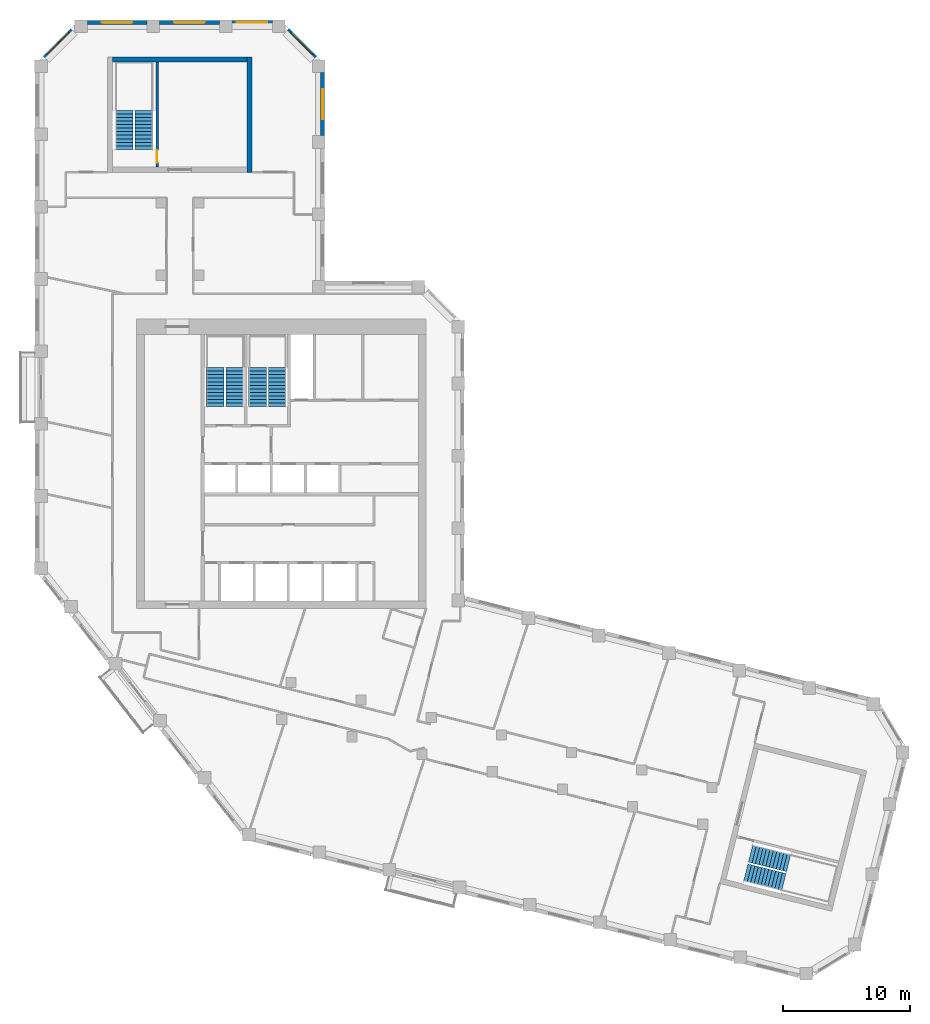
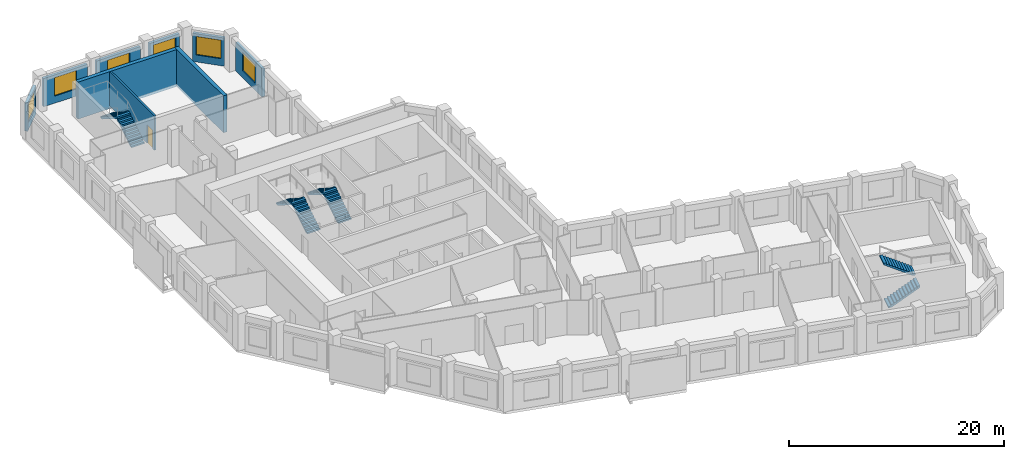
# One storey, part 8 of 9: 9 walls, 8 stair flights, 6 windows, 1 door, 7 openings, 4 elements without a shape of their own.
"""IFC4 building model written with IfcOpenShell, lengths in metres."""

from ifc_helpers import new_model, si_unit, direction, frame, frame_2d, origin, place, context, subcontext, project, spatial, polyline, rectangle, outline, extrude, material, layer, layer_set, type_object, element, fill, aggregate, save


model = new_model("IFC4")

# Units and contexts
model_context = context("Model", 3, precision=1e-05, world=origin(), true_north=direction((0.0, 1.0)))
body_context = subcontext(model_context, "Body", "Model", "MODEL_VIEW")
ifc_project = project(units=[si_unit("LENGTHUNIT", "METRE"), si_unit("AREAUNIT", "SQUARE_METRE"), si_unit("VOLUMEUNIT", "CUBIC_METRE"), si_unit("PLANEANGLEUNIT", "RADIAN"), si_unit("MASSUNIT", "GRAM", prefix="KILO")], contexts=[model_context])

# Site, building, storey
site_placement = place(None, origin())
site = spatial("IfcSite", under=ifc_project, at=site_placement, CompositionType="ELEMENT")
building_placement = place(site_placement, origin())
building = spatial("IfcBuilding", under=site, at=building_placement, Name="Meshkara Civic Tower", CompositionType="ELEMENT")
storey_placement = place(building_placement, frame((0.0, 0.0, 327.60009765625)))
storey = spatial("IfcBuildingStorey", under=building, at=storey_placement, Name="L75", CompositionType="ELEMENT", Elevation=327.60009765625)

# Wall, opening, window
ifc_material_1 = material(Name="Insulated infill panel with bronze anodised aluminium cladding", Category="aluminium")
ifc_layer_1 = layer(ifc_material_1, 0.300048828125)
ifc_layer_set_1 = layer_set([ifc_layer_1], Name="EXTERNAL INFILL WALL 300")
wall_type_1 = type_object("IfcWallType", Name="EXTERNAL INFILL WALL 300", PredefinedType="SOLIDWALL", material=ifc_layer_set_1)
wall_1_placement = place(storey_placement, frame((22.64990234375, 51.35009765625, 0.0), z_axis=(0.0, 0.0, 1.0), x_axis=(0.0, 1.0, 0.0)))
wall_1 = element("IfcWall", 1, at=wall_1_placement, inside=storey, type_object=wall_type_1, Name="External wall", PredefinedType="SOLIDWALL", context=body_context, shape_type="SweptSolid", body=[
    extrude(rectangle(XDim=4.9638671875, YDim=0.300048828125, at=frame_2d((2.48193359375, 0.0))), origin(), (0.0, 0.0, 1.0), 3.199951171875),
])
opening_1_placement = place(wall_1_placement, frame((1.281982421875, 0.0, 0.800048828125)))
opening_1 = element("IfcOpeningElement", 2, at=opening_1_placement, cuts=wall_1, Name="Opening W7", PredefinedType="OPENING", context=body_context, shape_type="SweptSolid", body=[
    extrude(rectangle(XDim=2.39990234375, YDim=2.10009765625, at=frame_2d((1.199951171875, 1.050048828125))), frame((0.0, 0.159912109375, 0.0), z_axis=(0.0, -1.0, 0.0), x_axis=(1.0, 0.0, 0.0)), (0.0, 0.0, 1.0), 0.320068359375),
])
ifc_material_2 = material(Name="Tinted double glazing", Category="glass")
window_type = type_object("IfcWindowType", Name="WINDOW 2400x2100", PartitioningType="DOUBLE_PANEL_VERTICAL", PredefinedType="WINDOW", material=ifc_material_2)
window_1_placement = place(opening_1_placement, origin())
window_1 = element("IfcWindow", 3, at=window_1_placement, inside=storey, type_object=window_type, Name="Window", OverallHeight=2.10009765625, OverallWidth=2.39990234375, PartitioningType="DOUBLE_PANEL_VERTICAL", PredefinedType="WINDOW", context=body_context, shape_type="SweptSolid", body=[
    extrude(rectangle(XDim=2.39990234375, YDim=2.10009765625, at=frame_2d((1.199951171875, 1.050048828125))), frame((0.0, 0.030029296875, 0.0), z_axis=(0.0, -1.0, 0.0), x_axis=(1.0, 0.0, 0.0)), (0.0, 0.0, 1.0), 0.06005859375),
])
fill(opening_1, window_1)

wall_2_placement = place(storey_placement, frame((22.06201171875, 57.52587890625, 0.0), z_axis=(0.0, 0.0, 1.0), x_axis=(-0.707106781187, 0.707106781187, 0.0)))
wall_2 = element("IfcWall", 4, at=wall_2_placement, inside=storey, type_object=wall_type_1, Name="External wall", PredefinedType="SOLIDWALL", context=body_context, shape_type="SweptSolid", body=[
    extrude(rectangle(XDim=3.049072265625, YDim=0.300048828125, at=frame_2d((1.5244140625, 0.0))), origin(), (0.0, 0.0, 1.0), 3.199951171875),
])
opening_2_placement = place(wall_2_placement, frame((0.324951171875, 0.0, 0.800048828125)))
opening_2 = element("IfcOpeningElement", 5, at=opening_2_placement, cuts=wall_2, Name="Opening W7", PredefinedType="OPENING", context=body_context, shape_type="SweptSolid", body=[
    extrude(rectangle(XDim=2.39990234375, YDim=2.10009765625, at=frame_2d((1.199951171875, 1.050048828125))), frame((0.0, 0.159912109375, 0.0), z_axis=(0.0, -1.0, 0.0), x_axis=(1.0, 0.0, 0.0)), (0.0, 0.0, 1.0), 0.320068359375),
])
window_2_placement = place(opening_2_placement, origin())
window_2 = element("IfcWindow", 6, at=window_2_placement, inside=storey, type_object=window_type, Name="Window", OverallHeight=2.10009765625, OverallWidth=2.39990234375, PartitioningType="DOUBLE_PANEL_VERTICAL", PredefinedType="WINDOW", context=body_context, shape_type="SweptSolid", body=[
    extrude(rectangle(XDim=2.39990234375, YDim=2.10009765625, at=frame_2d((1.199951171875, 1.050048828125))), frame((0.0, 0.030029296875, 0.0), z_axis=(0.0, -1.0, 0.0), x_axis=(1.0, 0.0, 0.0)), (0.0, 0.0, 1.0), 0.06005859375),
])
fill(opening_2, window_2)

wall_3_placement = place(storey_placement, frame((18.694091796875, 60.27001953125, 0.0), z_axis=(0.0, 0.0, 1.0), x_axis=(-1.0, 0.0, 0.0)))
wall_3 = element("IfcWall", 7, at=wall_3_placement, inside=storey, type_object=wall_type_1, Name="External wall", PredefinedType="SOLIDWALL", context=body_context, shape_type="SweptSolid", body=[
    extrude(rectangle(XDim=3.18798828125, YDim=0.300048828125, at=frame_2d((1.593994140625, 0.0))), origin(), (0.0, 0.0, 1.0), 3.199951171875),
])
opening_3_placement = place(wall_3_placement, frame((0.39404296875, 0.0, 0.800048828125)))
opening_3 = element("IfcOpeningElement", 8, at=opening_3_placement, cuts=wall_3, Name="Opening W7", PredefinedType="OPENING", context=body_context, shape_type="SweptSolid", body=[
    extrude(rectangle(XDim=2.39990234375, YDim=2.10009765625, at=frame_2d((1.199951171875, 1.050048828125))), frame((0.0, 0.159912109375, 0.0), z_axis=(0.0, -1.0, 0.0), x_axis=(1.0, 0.0, 0.0)), (0.0, 0.0, 1.0), 0.320068359375),
])
window_3_placement = place(opening_3_placement, origin())
window_3 = element("IfcWindow", 9, at=window_3_placement, inside=storey, type_object=window_type, Name="Window", OverallHeight=2.10009765625, OverallWidth=2.39990234375, PartitioningType="DOUBLE_PANEL_VERTICAL", PredefinedType="WINDOW", context=body_context, shape_type="SweptSolid", body=[
    extrude(rectangle(XDim=2.39990234375, YDim=2.10009765625, at=frame_2d((1.199951171875, 1.050048828125))), frame((0.0, 0.030029296875, 0.0), z_axis=(0.0, -1.0, 0.0), x_axis=(1.0, 0.0, 0.0)), (0.0, 0.0, 1.0), 0.06005859375),
])
fill(opening_3, window_3)

wall_4_placement = place(storey_placement, frame((14.506103515625, 60.27001953125, 0.0), z_axis=(0.0, 0.0, 1.0), x_axis=(-1.0, 0.0, 0.0)))
wall_4 = element("IfcWall", 10, at=wall_4_placement, inside=storey, type_object=wall_type_1, Name="External wall", PredefinedType="SOLIDWALL", context=body_context, shape_type="SweptSolid", body=[
    extrude(rectangle(XDim=4.7001953125, YDim=0.300048828125, at=frame_2d((2.35009765625, 0.0))), origin(), (0.0, 0.0, 1.0), 3.199951171875),
])
opening_4_placement = place(wall_4_placement, frame((1.14990234375, 0.0, 0.800048828125)))
opening_4 = element("IfcOpeningElement", 11, at=opening_4_placement, cuts=wall_4, Name="Opening W7", PredefinedType="OPENING", context=body_context, shape_type="SweptSolid", body=[
    extrude(rectangle(XDim=2.39990234375, YDim=2.10009765625, at=frame_2d((1.199951171875, 1.050048828125))), frame((0.0, 0.159912109375, 0.0), z_axis=(0.0, -1.0, 0.0), x_axis=(1.0, 0.0, 0.0)), (0.0, 0.0, 1.0), 0.320068359375),
])
window_4_placement = place(opening_4_placement, origin())
window_4 = element("IfcWindow", 12, at=window_4_placement, inside=storey, type_object=window_type, Name="Window", OverallHeight=2.10009765625, OverallWidth=2.39990234375, PartitioningType="DOUBLE_PANEL_VERTICAL", PredefinedType="WINDOW", context=body_context, shape_type="SweptSolid", body=[
    extrude(rectangle(XDim=2.39990234375, YDim=2.10009765625, at=frame_2d((1.199951171875, 1.050048828125))), frame((0.0, 0.030029296875, 0.0), z_axis=(0.0, -1.0, 0.0), x_axis=(1.0, 0.0, 0.0)), (0.0, 0.0, 1.0), 0.06005859375),
])
fill(opening_4, window_4)

wall_5_placement = place(storey_placement, frame((8.805908203125, 60.27001953125, 0.0), z_axis=(0.0, 0.0, 1.0), x_axis=(-1.0, 0.0, 0.0)))
wall_5 = element("IfcWall", 13, at=wall_5_placement, inside=storey, type_object=wall_type_1, Name="External wall", PredefinedType="SOLIDWALL", context=body_context, shape_type="SweptSolid", body=[
    extrude(rectangle(XDim=4.699951171875, YDim=0.300048828125, at=frame_2d((2.35009765625, 0.0))), origin(), (0.0, 0.0, 1.0), 3.199951171875),
])
opening_5_placement = place(wall_5_placement, frame((1.14990234375, 0.0, 0.800048828125)))
opening_5 = element("IfcOpeningElement", 14, at=opening_5_placement, cuts=wall_5, Name="Opening W7", PredefinedType="OPENING", context=body_context, shape_type="SweptSolid", body=[
    extrude(rectangle(XDim=2.39990234375, YDim=2.10009765625, at=frame_2d((1.199951171875, 1.050048828125))), frame((0.0, 0.159912109375, 0.0), z_axis=(0.0, -1.0, 0.0), x_axis=(1.0, 0.0, 0.0)), (0.0, 0.0, 1.0), 0.320068359375),
])
window_5_placement = place(opening_5_placement, origin())
window_5 = element("IfcWindow", 15, at=window_5_placement, inside=storey, type_object=window_type, Name="Window", OverallHeight=2.10009765625, OverallWidth=2.39990234375, PartitioningType="DOUBLE_PANEL_VERTICAL", PredefinedType="WINDOW", context=body_context, shape_type="SweptSolid", body=[
    extrude(rectangle(XDim=2.39990234375, YDim=2.10009765625, at=frame_2d((1.199951171875, 1.050048828125))), frame((0.0, 0.030029296875, 0.0), z_axis=(0.0, -1.0, 0.0), x_axis=(1.0, 0.0, 0.0)), (0.0, 0.0, 1.0), 0.06005859375),
])
fill(opening_5, window_5)

wall_6_placement = place(storey_placement, frame((2.89404296875, 59.681884765625, 0.0), z_axis=(0.0, 0.0, 1.0), x_axis=(-0.707106781187, -0.707106781187, 0.0)))
wall_6 = element("IfcWall", 16, at=wall_6_placement, inside=storey, type_object=wall_type_1, Name="External wall", PredefinedType="SOLIDWALL", context=body_context, shape_type="SweptSolid", body=[
    extrude(rectangle(XDim=3.049072265625, YDim=0.300048828125, at=frame_2d((1.5244140625, 0.0))), origin(), (0.0, 0.0, 1.0), 3.199951171875),
])
opening_6_placement = place(wall_6_placement, frame((0.324951171875, 0.0, 0.800048828125)))
opening_6 = element("IfcOpeningElement", 17, at=opening_6_placement, cuts=wall_6, Name="Opening W7", PredefinedType="OPENING", context=body_context, shape_type="SweptSolid", body=[
    extrude(rectangle(XDim=2.39990234375, YDim=2.10009765625, at=frame_2d((1.199951171875, 1.050048828125))), frame((0.0, 0.159912109375, 0.0), z_axis=(0.0, -1.0, 0.0), x_axis=(1.0, 0.0, 0.0)), (0.0, 0.0, 1.0), 0.320068359375),
])
window_6_placement = place(opening_6_placement, origin())
window_6 = element("IfcWindow", 18, at=window_6_placement, inside=storey, type_object=window_type, Name="Window", OverallHeight=2.10009765625, OverallWidth=2.39990234375, PartitioningType="DOUBLE_PANEL_VERTICAL", PredefinedType="WINDOW", context=body_context, shape_type="SweptSolid", body=[
    extrude(rectangle(XDim=2.39990234375, YDim=2.10009765625, at=frame_2d((1.199951171875, 1.050048828125))), frame((0.0, 0.030029296875, 0.0), z_axis=(0.0, -1.0, 0.0), x_axis=(1.0, 0.0, 0.0)), (0.0, 0.0, 1.0), 0.06005859375),
])
fill(opening_6, window_6)

# Walls
ifc_material_3 = material(Name="Concrete C60", Category="concrete")
ifc_layer_2 = layer(ifc_material_3, 0.39990234375)
ifc_layer_set_2 = layer_set([ifc_layer_2], Name="End core ring wall 400 C60")
wall_type_2 = type_object("IfcWallType", Name="End core ring wall 400 C60", PredefinedType="SHEAR", material=ifc_layer_set_2)
wall_7_placement = place(storey_placement, frame((16.89990234375, 48.469970703125, -0.300048828125), z_axis=(0.0, 0.0, 1.0), x_axis=(0.0, 1.0, 0.0)))
element("IfcWall", 19, at=wall_7_placement, inside=storey, type_object=wall_type_2, Name="L75-C028", PredefinedType="SHEAR", context=body_context, shape_type="SweptSolid", body=[
    extrude(rectangle(XDim=9.10009765625, YDim=0.39990234375, at=frame_2d((4.550048828125, 0.0))), origin(), (0.0, 0.0, 1.0), 4.199951171875),
])
wall_8_placement = place(storey_placement, frame((6.10009765625, 57.3701171875, -0.300048828125), z_axis=(0.0, 0.0, 1.0), x_axis=(1.0, 0.0, 0.0)))
element("IfcWall", 20, at=wall_8_placement, inside=storey, type_object=wall_type_2, Name="L75-C030", PredefinedType="SHEAR", context=body_context, shape_type="SweptSolid", body=[
    extrude(rectangle(XDim=10.599853515625, YDim=0.39990234375, at=frame_2d((5.2998046875, 0.0))), origin(), (0.0, 0.0, 1.0), 4.199951171875),
])

# Wall, opening, door
ifc_material_4 = material(Name="Concrete C40/50", Category="concrete")
ifc_layer_3 = layer(ifc_material_4, 0.199951171875)
ifc_layer_set_3 = layer_set([ifc_layer_3], Name="Stair enclosure wall 200 C40/50")
wall_type_3 = type_object("IfcWallType", Name="Stair enclosure wall 200 C40/50", PredefinedType="SOLIDWALL", material=ifc_layer_set_3)
wall_9_placement = place(storey_placement, frame((9.60009765625, 48.8701171875, 0.0), z_axis=(0.0, 0.0, 1.0), x_axis=(0.0, 1.0, 0.0)))
wall_9 = element("IfcWall", 21, at=wall_9_placement, inside=storey, type_object=wall_type_3, Name="L75-C031", PredefinedType="SOLIDWALL", context=body_context, shape_type="SweptSolid", body=[
    extrude(rectangle(XDim=8.2998046875, YDim=0.199951171875, at=frame_2d((4.14990234375, 0.0))), origin(), (0.0, 0.0, 1.0), 3.89990234375),
])
opening_7_placement = place(wall_9_placement, frame((0.35009765625, 0.0, 0.0)))
opening_7 = element("IfcOpeningElement", 22, at=opening_7_placement, cuts=wall_9, Name="Opening L75-K101", PredefinedType="OPENING", context=body_context, shape_type="SweptSolid", body=[
    extrude(rectangle(XDim=1.0, YDim=2.10009765625, at=frame_2d((0.5, 1.050048828125))), frame((0.0, 0.10986328125, 0.0), z_axis=(0.0, -1.0, 0.0), x_axis=(1.0, 0.0, 0.0)), (0.0, 0.0, 1.0), 0.219970703125),
])
ifc_material_5 = material(Name="Fire-rated door leaf in steel frame", Category="steel")
door_type = type_object("IfcDoorType", Name="Stair door 1000 EI 120", OperationType="SINGLE_SWING_LEFT", PredefinedType="DOOR", material=ifc_material_5)
door_placement = place(opening_7_placement, origin())
door = element("IfcDoor", 23, at=door_placement, inside=storey, type_object=door_type, Name="L75-K101", OperationType="SINGLE_SWING_RIGHT", OverallHeight=2.10009765625, OverallWidth=1.0, PredefinedType="DOOR", context=body_context, shape_type="SweptSolid", body=[
    extrude(rectangle(XDim=1.0, YDim=2.10009765625, at=frame_2d((0.5, 1.050048828125))), frame((0.0, 0.02490234375, 0.0), z_axis=(0.0, -1.0, 0.0), x_axis=(1.0, 0.0, 0.0)), (0.0, 0.0, 1.0), 0.050048828125),
])
fill(opening_7, door)

# Stair, stair flights
ifc_material_6 = material(Name="Precast concrete C40/50", Category="concrete")
stair_type = type_object("IfcStairType", Name="Exit stair half-turn 24 risers precast", PredefinedType="HALF_TURN_STAIR", material=ifc_material_6)
stair_1_placement = place(storey_placement, origin())
stair_1 = element("IfcStair", 24, at=stair_1_placement, inside=storey, type_object=stair_type, Name="L75 exit stair 1", PredefinedType="HALF_TURN_STAIR")
ifc_material_7 = material(Name="Precast concrete C40/50", Category="concrete")
stair_flight_type = type_object("IfcStairFlightType", Name="Exit stair flight 12 risers precast", PredefinedType="STRAIGHT", material=ifc_material_7)
stair_flight_1_placement = place(storey_placement, frame((15.72509765625, 30.0, 0.0), z_axis=(0.0, 0.0, 1.0), x_axis=(0.0, 1.0, 0.0)))
stair_flight_1 = element("IfcStairFlight", 25, at=stair_flight_1_placement, type_object=stair_flight_type, Name="ST1 flight 1", NumberOfRisers=12, NumberOfTreads=11, PredefinedType="STRAIGHT", RiserHeight=0.175, TreadLength=0.28, context=body_context, shape_type="SweptSolid", body=[
    extrude(outline(polyline([(0.0, 0.0), (0.0, 0.175048828125), (0.280029296875, 0.175048828125), (0.280029296875, 0.35009765625), (0.56005859375, 0.35009765625), (0.56005859375, 0.52490234375), (0.840087890625, 0.52490234375), (0.840087890625, 0.699951171875), (1.1201171875, 0.699951171875), (1.1201171875, 0.875), (1.39990234375, 0.875), (1.39990234375, 1.050048828125), (1.679931640625, 1.050048828125), (1.679931640625, 1.22509765625), (1.9599609375, 1.22509765625), (1.9599609375, 1.39990234375), (2.239990234375, 1.39990234375), (2.239990234375, 1.574951171875), (2.52001953125, 1.574951171875), (2.52001953125, 1.75), (2.800048828125, 1.75), (2.800048828125, 1.925048828125), (3.080078125, 1.925048828125), (3.080078125, 2.10009765625), (3.080078125, 1.748291015625), (0.28271484375, 0.0), (0.0, 0.0)])), frame((0.0, 0.699951171875, 0.0), z_axis=(0.0, -1.0, 0.0), x_axis=(1.0, 0.0, 0.0)), (0.0, 0.0, 1.0), 1.39990234375),
])
stair_flight_2_placement = place(storey_placement, frame((14.175048828125, 33.080078125, 2.099853515625), z_axis=(0.0, 0.0, 1.0), x_axis=(0.0, -1.0, 0.0)))
stair_flight_2 = element("IfcStairFlight", 26, at=stair_flight_2_placement, type_object=stair_flight_type, Name="ST1 flight 2", NumberOfRisers=12, NumberOfTreads=11, PredefinedType="STRAIGHT", RiserHeight=0.175, TreadLength=0.28, context=body_context, shape_type="SweptSolid", body=[
    extrude(outline(polyline([(0.0, 0.0), (0.0, 0.175048828125), (0.280029296875, 0.175048828125), (0.280029296875, 0.35009765625), (0.56005859375, 0.35009765625), (0.56005859375, 0.52490234375), (0.840087890625, 0.52490234375), (0.840087890625, 0.699951171875), (1.1201171875, 0.699951171875), (1.1201171875, 0.875), (1.39990234375, 0.875), (1.39990234375, 1.050048828125), (1.679931640625, 1.050048828125), (1.679931640625, 1.22509765625), (1.9599609375, 1.22509765625), (1.9599609375, 1.39990234375), (2.239990234375, 1.39990234375), (2.239990234375, 1.574951171875), (2.52001953125, 1.574951171875), (2.52001953125, 1.75), (2.800048828125, 1.75), (2.800048828125, 1.925048828125), (3.080078125, 1.925048828125), (3.080078125, 2.10009765625), (3.080078125, 1.748291015625), (0.28271484375, 0.0), (0.0, 0.0)])), frame((0.0, 0.699951171875, 0.0), z_axis=(0.0, -1.0, 0.0), x_axis=(1.0, 0.0, 0.0)), (0.0, 0.0, 1.0), 1.39990234375),
])
aggregate(stair_1, [stair_flight_1, stair_flight_2])

stair_2_placement = place(storey_placement, origin())
stair_2 = element("IfcStair", 27, at=stair_2_placement, inside=storey, type_object=stair_type, Name="L75 exit stair 2", PredefinedType="HALF_TURN_STAIR")
stair_flight_3_placement = place(storey_placement, frame((19.074951171875, 30.0, 0.0), z_axis=(0.0, 0.0, 1.0), x_axis=(0.0, 1.0, 0.0)))
stair_flight_3 = element("IfcStairFlight", 28, at=stair_flight_3_placement, type_object=stair_flight_type, Name="ST2 flight 1", NumberOfRisers=12, NumberOfTreads=11, PredefinedType="STRAIGHT", RiserHeight=0.175, TreadLength=0.28, context=body_context, shape_type="SweptSolid", body=[
    extrude(outline(polyline([(0.0, 0.0), (0.0, 0.175048828125), (0.280029296875, 0.175048828125), (0.280029296875, 0.35009765625), (0.56005859375, 0.35009765625), (0.56005859375, 0.52490234375), (0.840087890625, 0.52490234375), (0.840087890625, 0.699951171875), (1.1201171875, 0.699951171875), (1.1201171875, 0.875), (1.39990234375, 0.875), (1.39990234375, 1.050048828125), (1.679931640625, 1.050048828125), (1.679931640625, 1.22509765625), (1.9599609375, 1.22509765625), (1.9599609375, 1.39990234375), (2.239990234375, 1.39990234375), (2.239990234375, 1.574951171875), (2.52001953125, 1.574951171875), (2.52001953125, 1.75), (2.800048828125, 1.75), (2.800048828125, 1.925048828125), (3.080078125, 1.925048828125), (3.080078125, 2.10009765625), (3.080078125, 1.748291015625), (0.28271484375, 0.0), (0.0, 0.0)])), frame((0.0, 0.699951171875, 0.0), z_axis=(0.0, -1.0, 0.0), x_axis=(1.0, 0.0, 0.0)), (0.0, 0.0, 1.0), 1.39990234375),
])
stair_flight_4_placement = place(storey_placement, frame((17.52490234375, 33.080078125, 2.099853515625), z_axis=(0.0, 0.0, 1.0), x_axis=(0.0, -1.0, 0.0)))
stair_flight_4 = element("IfcStairFlight", 29, at=stair_flight_4_placement, type_object=stair_flight_type, Name="ST2 flight 2", NumberOfRisers=12, NumberOfTreads=11, PredefinedType="STRAIGHT", RiserHeight=0.175, TreadLength=0.28, context=body_context, shape_type="SweptSolid", body=[
    extrude(outline(polyline([(0.0, 0.0), (0.0, 0.175048828125), (0.280029296875, 0.175048828125), (0.280029296875, 0.35009765625), (0.56005859375, 0.35009765625), (0.56005859375, 0.52490234375), (0.840087890625, 0.52490234375), (0.840087890625, 0.699951171875), (1.1201171875, 0.699951171875), (1.1201171875, 0.875), (1.39990234375, 0.875), (1.39990234375, 1.050048828125), (1.679931640625, 1.050048828125), (1.679931640625, 1.22509765625), (1.9599609375, 1.22509765625), (1.9599609375, 1.39990234375), (2.239990234375, 1.39990234375), (2.239990234375, 1.574951171875), (2.52001953125, 1.574951171875), (2.52001953125, 1.75), (2.800048828125, 1.75), (2.800048828125, 1.925048828125), (3.080078125, 1.925048828125), (3.080078125, 2.10009765625), (3.080078125, 1.748291015625), (0.28271484375, 0.0), (0.0, 0.0)])), frame((0.0, 0.699951171875, 0.0), z_axis=(0.0, -1.0, 0.0), x_axis=(1.0, 0.0, 0.0)), (0.0, 0.0, 1.0), 1.39990234375),
])
aggregate(stair_2, [stair_flight_3, stair_flight_4])

stair_3_placement = place(storey_placement, origin())
stair_3 = element("IfcStair", 30, at=stair_3_placement, inside=storey, type_object=stair_type, Name="L75 exit stair A from L65", PredefinedType="HALF_TURN_STAIR")
stair_flight_5_placement = place(storey_placement, frame((8.574951171875, 50.27001953125, 0.0), z_axis=(0.0, 0.0, 1.0), x_axis=(0.0, 1.0, 0.0)))
stair_flight_5 = element("IfcStairFlight", 31, at=stair_flight_5_placement, type_object=stair_flight_type, Name="ESA5 flight 1", NumberOfRisers=12, NumberOfTreads=11, PredefinedType="STRAIGHT", RiserHeight=0.175, TreadLength=0.28, context=body_context, shape_type="SweptSolid", body=[
    extrude(outline(polyline([(0.0, 0.0), (0.0, 0.175048828125), (0.280029296875, 0.175048828125), (0.280029296875, 0.35009765625), (0.56005859375, 0.35009765625), (0.56005859375, 0.52490234375), (0.840087890625, 0.52490234375), (0.840087890625, 0.699951171875), (1.1201171875, 0.699951171875), (1.1201171875, 0.875), (1.39990234375, 0.875), (1.39990234375, 1.050048828125), (1.679931640625, 1.050048828125), (1.679931640625, 1.22509765625), (1.9599609375, 1.22509765625), (1.9599609375, 1.39990234375), (2.239990234375, 1.39990234375), (2.239990234375, 1.574951171875), (2.52001953125, 1.574951171875), (2.52001953125, 1.75), (2.800048828125, 1.75), (2.800048828125, 1.925048828125), (3.080078125, 1.925048828125), (3.080078125, 2.10009765625), (3.080078125, 1.748291015625), (0.28271484375, 0.0), (0.0, 0.0)])), frame((0.0, 0.699951171875, 0.0), z_axis=(0.0, -1.0, 0.0), x_axis=(1.0, 0.0, 0.0)), (0.0, 0.0, 1.0), 1.39990234375),
])
stair_flight_6_placement = place(storey_placement, frame((7.02490234375, 53.35009765625, 2.099853515625), z_axis=(0.0, 0.0, 1.0), x_axis=(0.0, -1.0, 0.0)))
stair_flight_6 = element("IfcStairFlight", 32, at=stair_flight_6_placement, type_object=stair_flight_type, Name="ESA5 flight 2", NumberOfRisers=12, NumberOfTreads=11, PredefinedType="STRAIGHT", RiserHeight=0.175, TreadLength=0.28, context=body_context, shape_type="SweptSolid", body=[
    extrude(outline(polyline([(0.0, 0.0), (0.0, 0.175048828125), (0.280029296875, 0.175048828125), (0.280029296875, 0.35009765625), (0.56005859375, 0.35009765625), (0.56005859375, 0.52490234375), (0.840087890625, 0.52490234375), (0.840087890625, 0.699951171875), (1.1201171875, 0.699951171875), (1.1201171875, 0.875), (1.39990234375, 0.875), (1.39990234375, 1.050048828125), (1.679931640625, 1.050048828125), (1.679931640625, 1.22509765625), (1.9599609375, 1.22509765625), (1.9599609375, 1.39990234375), (2.239990234375, 1.39990234375), (2.239990234375, 1.574951171875), (2.52001953125, 1.574951171875), (2.52001953125, 1.75), (2.800048828125, 1.75), (2.800048828125, 1.925048828125), (3.080078125, 1.925048828125), (3.080078125, 2.10009765625), (3.080078125, 1.748291015625), (0.28271484375, 0.0), (0.0, 0.0)])), frame((0.0, 0.699951171875, 0.0), z_axis=(0.0, -1.0, 0.0), x_axis=(1.0, 0.0, 0.0)), (0.0, 0.0, 1.0), 1.39990234375),
])
aggregate(stair_3, [stair_flight_5, stair_flight_6])

stair_4_placement = place(storey_placement, origin())
stair_4 = element("IfcStair", 33, at=stair_4_placement, inside=storey, type_object=stair_type, Name="L75 exit stair B from L65", PredefinedType="HALF_TURN_STAIR")
stair_flight_7_placement = place(storey_placement, frame((56.0068359375, -6.723876953125, 0.0), z_axis=(0.0, 0.0, 1.0), x_axis=(0.970260066579, -0.242064873955, 0.0)))
stair_flight_7 = element("IfcStairFlight", 34, at=stair_flight_7_placement, type_object=stair_flight_type, Name="ESB5 flight 1", NumberOfRisers=12, NumberOfTreads=11, PredefinedType="STRAIGHT", RiserHeight=0.175, TreadLength=0.28, context=body_context, shape_type="SweptSolid", body=[
    extrude(outline(polyline([(0.0, 0.0), (0.0, 0.175048828125), (0.280029296875, 0.175048828125), (0.280029296875, 0.35009765625), (0.56005859375, 0.35009765625), (0.56005859375, 0.52490234375), (0.840087890625, 0.52490234375), (0.840087890625, 0.699951171875), (1.1201171875, 0.699951171875), (1.1201171875, 0.875), (1.39990234375, 0.875), (1.39990234375, 1.050048828125), (1.679931640625, 1.050048828125), (1.679931640625, 1.22509765625), (1.9599609375, 1.22509765625), (1.9599609375, 1.39990234375), (2.239990234375, 1.39990234375), (2.239990234375, 1.574951171875), (2.52001953125, 1.574951171875), (2.52001953125, 1.75), (2.800048828125, 1.75), (2.800048828125, 1.925048828125), (3.080078125, 1.925048828125), (3.080078125, 2.10009765625), (3.080078125, 1.748291015625), (0.28271484375, 0.0), (0.0, 0.0)])), frame((0.0, 0.699951171875, 0.0), z_axis=(0.0, -1.0, 0.0), x_axis=(1.0, 0.0, 0.0)), (0.0, 0.0, 1.0), 1.39990234375),
])
stair_flight_8_placement = place(storey_placement, frame((59.370361328125, -5.965576171875, 2.099853515625), z_axis=(0.0, 0.0, 1.0), x_axis=(-0.970260066579, 0.242064873955, 0.0)))
stair_flight_8 = element("IfcStairFlight", 35, at=stair_flight_8_placement, type_object=stair_flight_type, Name="ESB5 flight 2", NumberOfRisers=12, NumberOfTreads=11, PredefinedType="STRAIGHT", RiserHeight=0.175, TreadLength=0.28, context=body_context, shape_type="SweptSolid", body=[
    extrude(outline(polyline([(0.0, 0.0), (0.0, 0.175048828125), (0.280029296875, 0.175048828125), (0.280029296875, 0.35009765625), (0.56005859375, 0.35009765625), (0.56005859375, 0.52490234375), (0.840087890625, 0.52490234375), (0.840087890625, 0.699951171875), (1.1201171875, 0.699951171875), (1.1201171875, 0.875), (1.39990234375, 0.875), (1.39990234375, 1.050048828125), (1.679931640625, 1.050048828125), (1.679931640625, 1.22509765625), (1.9599609375, 1.22509765625), (1.9599609375, 1.39990234375), (2.239990234375, 1.39990234375), (2.239990234375, 1.574951171875), (2.52001953125, 1.574951171875), (2.52001953125, 1.75), (2.800048828125, 1.75), (2.800048828125, 1.925048828125), (3.080078125, 1.925048828125), (3.080078125, 2.10009765625), (3.080078125, 1.748291015625), (0.28271484375, 0.0), (0.0, 0.0)])), frame((0.0, 0.699951171875, 0.0), z_axis=(0.0, -1.0, 0.0), x_axis=(1.0, 0.0, 0.0)), (0.0, 0.0, 1.0), 1.39990234375),
])
aggregate(stair_4, [stair_flight_7, stair_flight_8])

save(model, "model.ifc")
